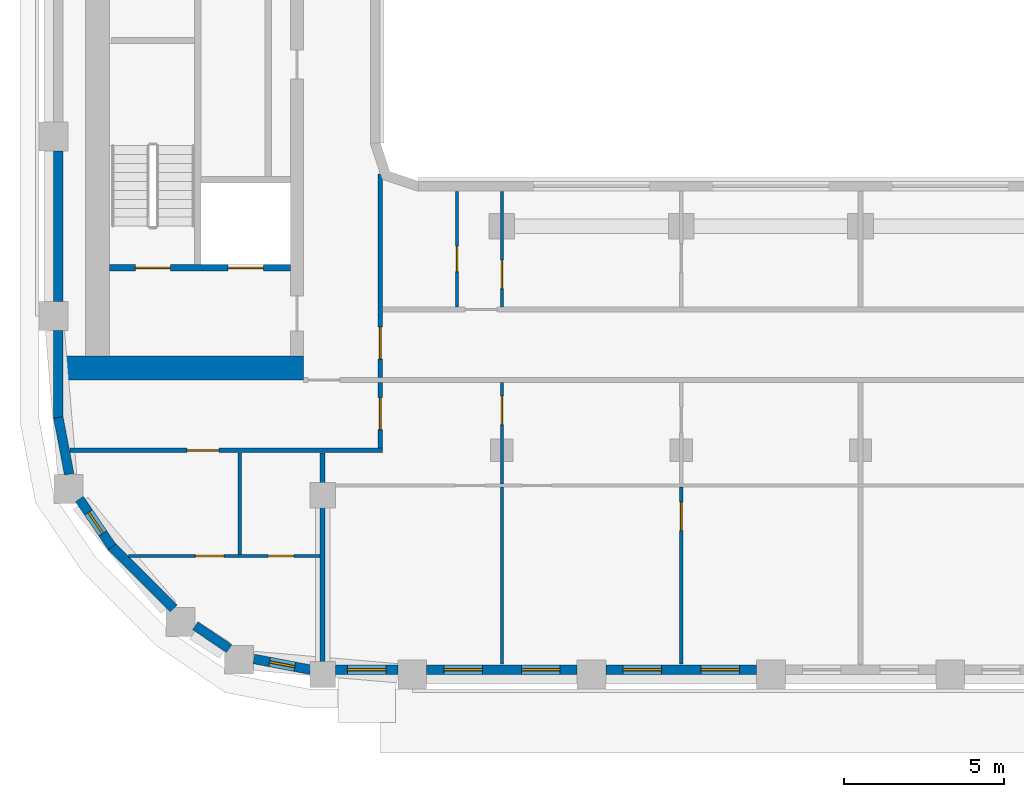
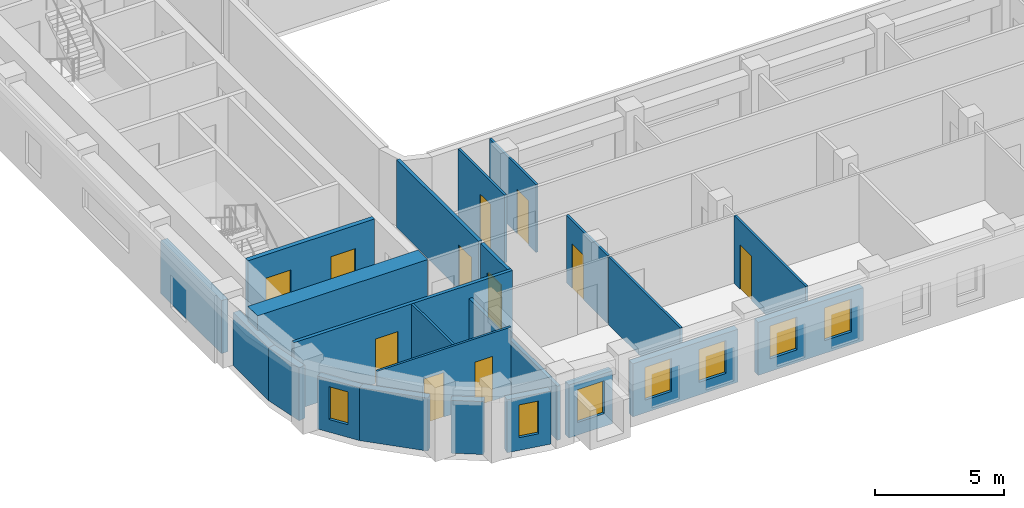
# One storey, part 2 of 21: 23 walls, 11 doors, 7 windows, 18 openings.
"""IFC4 building model written with IfcOpenShell, lengths in metres."""

from ifc_helpers import new_model, si_unit, direction, frame, frame_2d, origin, place, context, subcontext, project, spatial, rectangle, extrude, material, layer, layer_set, type_object, element, fill, save


model = new_model("IFC4")

# Units and contexts
model_context = context("Model", 3, precision=1e-05, world=origin(), true_north=direction((0.0, 1.0)))
body_context = subcontext(model_context, "Body", "Model", "MODEL_VIEW")
ifc_project = project(units=[si_unit("LENGTHUNIT", "METRE"), si_unit("AREAUNIT", "SQUARE_METRE"), si_unit("VOLUMEUNIT", "CUBIC_METRE"), si_unit("PLANEANGLEUNIT", "RADIAN"), si_unit("MASSUNIT", "GRAM", prefix="KILO")], contexts=[model_context])

# Site, building, storey
site_placement = place(None, origin())
site = spatial("IfcSite", under=ifc_project, at=site_placement, CompositionType="ELEMENT")
building_placement = place(site_placement, origin())
building = spatial("IfcBuilding", under=site, at=building_placement, Name="Kiln Ring Residences", CompositionType="ELEMENT")
storey_placement = place(building_placement, frame((0.0, 0.0, 202.89990234375)))
storey = spatial("IfcBuildingStorey", under=building, at=storey_placement, Name="L52", CompositionType="ELEMENT", Elevation=202.89990234375)

# Wall, openings, doors
ifc_material_1 = material(Name="Concrete C40/50", Category="concrete")
ifc_layer_1 = layer(ifc_material_1, 0.199951171875)
ifc_layer_set_1 = layer_set([ifc_layer_1], Name="CORE-WALL-RC200")
wall_type_1 = type_object("IfcWallType", Name="CORE-WALL-RC200", PredefinedType="SHEAR", material=ifc_layer_set_1)
wall_1_placement = place(storey_placement, frame((-17.800048828125, -9.699951171875, 0.0), z_axis=(0.0, 0.0, 1.0), x_axis=(-1.0, 0.0, 0.0)))
wall_1 = element("IfcWall", 1, at=wall_1_placement, inside=storey, type_object=wall_type_1, Name="Core wall west L52 8", PredefinedType="SHEAR", context=body_context, shape_type="SweptSolid", body=[
    extrude(rectangle(XDim=5.64990234375, YDim=0.199951171875, at=frame_2d((2.824951171875, 0.0))), origin(), (0.0, 0.0, 1.0), 3.2001953125),
])
opening_1_placement = place(wall_1_placement, frame((0.85009765625, 0.0, 0.0)))
opening_1 = element("IfcOpeningElement", 2, at=opening_1_placement, cuts=wall_1, Name="Opening L52-CW01", PredefinedType="OPENING", context=body_context, shape_type="SweptSolid", body=[
    extrude(rectangle(XDim=1.10009765625, YDim=2.10009765625, at=frame_2d((0.550048828125, 1.050048828125))), frame((0.0, 0.10986328125, 0.0), z_axis=(0.0, -1.0, 0.0), x_axis=(1.0, 0.0, 0.0)), (0.0, 0.0, 1.0), 0.219970703125),
])
opening_2_placement = place(wall_1_placement, frame((3.75, 0.0, 0.0)))
opening_2 = element("IfcOpeningElement", 3, at=opening_2_placement, cuts=wall_1, Name="Opening L52-CW10", PredefinedType="OPENING", context=body_context, shape_type="SweptSolid", body=[
    extrude(rectangle(XDim=1.10009765625, YDim=2.10009765625, at=frame_2d((0.550048828125, 1.050048828125))), frame((0.0, 0.10986328125, 0.0), z_axis=(0.0, -1.0, 0.0), x_axis=(1.0, 0.0, 0.0)), (0.0, 0.0, 1.0), 0.219970703125),
])
ifc_material_2 = material(Name="Steel door leaf", Category="steel")
door_type_1 = type_object("IfcDoorType", Name="CORE-DOOR-LD", OperationType="DOUBLE_DOOR_SLIDING", PredefinedType="DOOR", material=ifc_material_2)
door_1_placement = place(opening_1_placement, origin())
door_1 = element("IfcDoor", 4, at=door_1_placement, inside=storey, type_object=door_type_1, Name="LD W-SV L52-CW01", OperationType="DOUBLE_DOOR_SLIDING", OverallHeight=2.10009765625, OverallWidth=1.10009765625, PredefinedType="DOOR", context=body_context, shape_type="SweptSolid", body=[
    extrude(rectangle(XDim=1.10009765625, YDim=2.10009765625, at=frame_2d((0.550048828125, 1.050048828125))), frame((0.0, 0.02490234375, 0.0), z_axis=(0.0, -1.0, 0.0), x_axis=(1.0, 0.0, 0.0)), (0.0, 0.0, 1.0), 0.050048828125),
])
fill(opening_1, door_1)
ifc_material_3 = material(Name="Steel door leaf", Category="steel")
door_type_2 = type_object("IfcDoorType", Name="CORE-DOOR-STAIR", OperationType="SINGLE_SWING_LEFT", PredefinedType="DOOR", material=ifc_material_3)
door_2_placement = place(opening_2_placement, origin())
door_2 = element("IfcDoor", 5, at=door_2_placement, inside=storey, type_object=door_type_2, Name="Stair W-STS L52-CW10", OperationType="SINGLE_SWING_LEFT", OverallHeight=2.10009765625, OverallWidth=1.10009765625, PredefinedType="DOOR", context=body_context, shape_type="SweptSolid", body=[
    extrude(rectangle(XDim=1.10009765625, YDim=2.10009765625, at=frame_2d((0.550048828125, 1.050048828125))), frame((0.0, 0.02490234375, 0.0), z_axis=(0.0, -1.0, 0.0), x_axis=(1.0, 0.0, 0.0)), (0.0, 0.0, 1.0), 0.050048828125),
])
fill(opening_2, door_2)

# Walls
ifc_material_4 = material(Name="Concrete C60/75", Category="concrete")
ifc_layer_2 = layer(ifc_material_4, 0.75)
ifc_layer_set_2 = layer_set([ifc_layer_2], Name="CORE-WALL-RC750")
wall_type_2 = type_object("IfcWallType", Name="CORE-WALL-RC750", PredefinedType="SHEAR", material=ifc_layer_set_2)
wall_2_placement = place(storey_placement, frame((-17.39990234375, -12.824951171875, 0.0), z_axis=(0.0, 0.0, 1.0), x_axis=(-1.0, 0.0, 0.0)))
element("IfcWall", 6, at=wall_2_placement, inside=storey, type_object=wall_type_2, Name="Core wall west L52 5", PredefinedType="SHEAR", context=body_context, shape_type="SweptSolid", body=[
    extrude(rectangle(XDim=7.60009765625, YDim=0.75, at=frame_2d((3.800048828125, 0.0))), origin(), (0.0, 0.0, 1.0), 3.2001953125),
])
ifc_material_5 = material(Name="Brick masonry, dark clay brick", Category="masonry")
ifc_layer_3 = layer(ifc_material_5, 0.300048828125)
ifc_layer_set_3 = layer_set([ifc_layer_3], Name="EW-300 BRICK WALL")
wall_type_3 = type_object("IfcWallType", Name="EW-300 BRICK WALL", PredefinedType="SOLIDWALL", material=ifc_layer_set_3)
wall_3_placement = place(storey_placement, frame((-23.39697265625, -18.390869140625, 0.0), z_axis=(0.0, 0.0, 1.0), x_axis=(0.707106781187, -0.707106781187, 0.0)))
element("IfcWall", 7, at=wall_3_placement, inside=storey, type_object=wall_type_3, Name="Facade wall L52 1", PredefinedType="SOLIDWALL", context=body_context, shape_type="SweptSolid", body=[
    extrude(rectangle(XDim=2.75, YDim=0.300048828125, at=frame_2d((1.375, 0.0))), origin(), (0.0, 0.0, 1.0), 2.5),
])
wall_4_placement = place(storey_placement, frame((-20.775146484375, -20.876220703125, 0.0), z_axis=(0.0, 0.0, 1.0), x_axis=(0.827075824828, -0.562090366388, 0.0)))
element("IfcWall", 8, at=wall_4_placement, inside=storey, type_object=wall_type_3, Name="Facade wall L52 2", PredefinedType="SOLIDWALL", context=body_context, shape_type="SweptSolid", body=[
    extrude(rectangle(XDim=1.27685546875, YDim=0.300048828125, at=frame_2d((0.638427734375, 0.0))), origin(), (0.0, 0.0, 1.0), 2.5),
])

# Wall, opening, window
wall_5_placement = place(storey_placement, frame((-18.946044921875, -21.914306640625, 0.0), z_axis=(0.0, 0.0, 1.0), x_axis=(0.98230529033, -0.187286722942, 0.0)))
wall_5 = element("IfcWall", 9, at=wall_5_placement, inside=storey, type_object=wall_type_3, Name="Facade wall L52 3", PredefinedType="SOLIDWALL", context=body_context, shape_type="SweptSolid", body=[
    extrude(rectangle(XDim=1.798828125, YDim=0.300048828125, at=frame_2d((0.8994140625, 0.0))), origin(), (0.0, 0.0, 1.0), 2.5),
])
opening_3_placement = place(wall_5_placement, frame((0.49951171875, 0.0, 0.60009765625)))
opening_3 = element("IfcOpeningElement", 10, at=opening_3_placement, cuts=wall_5, Name="Opening W5", PredefinedType="OPENING", context=body_context, shape_type="SweptSolid", body=[
    extrude(rectangle(XDim=0.800048828125, YDim=1.550048828125, at=frame_2d((0.39990234375, 0.77490234375))), frame((0.0, 0.159912109375, 0.0), z_axis=(0.0, -1.0, 0.0), x_axis=(1.0, 0.0, 0.0)), (0.0, 0.0, 1.0), 0.320068359375),
])
ifc_material_6 = material(Name="Aluminium frame with double glazing", Category="aluminium")
window_type_1 = type_object("IfcWindowType", Name="WINDOW 800 x 1550", PartitioningType="SINGLE_PANEL", PredefinedType="WINDOW", material=ifc_material_6)
window_1_placement = place(opening_3_placement, origin())
window_1 = element("IfcWindow", 11, at=window_1_placement, inside=storey, type_object=window_type_1, Name="Window L52 1", OverallHeight=1.550048828125, OverallWidth=0.800048828125, PartitioningType="SINGLE_PANEL", PredefinedType="WINDOW", context=body_context, shape_type="SweptSolid", body=[
    extrude(rectangle(XDim=0.800048828125, YDim=1.550048828125, at=frame_2d((0.39990234375, 0.77490234375))), frame((0.0, 0.030029296875, 0.0), z_axis=(0.0, -1.0, 0.0), x_axis=(1.0, 0.0, 0.0)), (0.0, 0.0, 1.0), 0.06005859375),
])
fill(opening_3, window_1)

wall_6_placement = place(storey_placement, frame((-16.39990234375, -22.25, 0.0), z_axis=(0.0, 0.0, 1.0), x_axis=(1.0, 0.0, 0.0)))
wall_6 = element("IfcWall", 12, at=wall_6_placement, inside=storey, type_object=wall_type_3, Name="Facade wall L52 4", PredefinedType="SOLIDWALL", context=body_context, shape_type="SweptSolid", body=[
    extrude(rectangle(XDim=1.949951171875, YDim=0.300048828125, at=frame_2d((0.97509765625, 0.0))), origin(), (0.0, 0.0, 1.0), 2.5),
])
opening_4_placement = place(wall_6_placement, frame((0.375, 0.0, 0.60009765625)))
opening_4 = element("IfcOpeningElement", 13, at=opening_4_placement, cuts=wall_6, Name="Opening W1", PredefinedType="OPENING", context=body_context, shape_type="SweptSolid", body=[
    extrude(rectangle(XDim=1.199951171875, YDim=1.550048828125, at=frame_2d((0.60009765625, 0.77490234375))), frame((0.0, 0.159912109375, 0.0), z_axis=(0.0, -1.0, 0.0), x_axis=(1.0, 0.0, 0.0)), (0.0, 0.0, 1.0), 0.320068359375),
])
ifc_material_7 = material(Name="Aluminium frame with double glazing", Category="aluminium")
window_type_2 = type_object("IfcWindowType", Name="WINDOW 1200 x 1550", PartitioningType="SINGLE_PANEL", PredefinedType="WINDOW", material=ifc_material_7)
window_2_placement = place(opening_4_placement, origin())
window_2 = element("IfcWindow", 14, at=window_2_placement, inside=storey, type_object=window_type_2, Name="Window L52 2", OverallHeight=1.550048828125, OverallWidth=1.199951171875, PartitioningType="SINGLE_PANEL", PredefinedType="WINDOW", context=body_context, shape_type="SweptSolid", body=[
    extrude(rectangle(XDim=1.199951171875, YDim=1.550048828125, at=frame_2d((0.60009765625, 0.77490234375))), frame((0.0, 0.030029296875, 0.0), z_axis=(0.0, -1.0, 0.0), x_axis=(1.0, 0.0, 0.0)), (0.0, 0.0, 1.0), 0.06005859375),
])
fill(opening_4, window_2)

# Wall, openings, windows
wall_7_placement = place(storey_placement, frame((-13.550048828125, -22.25, 0.0), z_axis=(0.0, 0.0, 1.0), x_axis=(1.0, 0.0, 0.0)))
wall_7 = element("IfcWall", 15, at=wall_7_placement, inside=storey, type_object=wall_type_3, Name="Facade wall L52 5", PredefinedType="SOLIDWALL", context=body_context, shape_type="SweptSolid", body=[
    extrude(rectangle(XDim=4.699951171875, YDim=0.300048828125, at=frame_2d((2.35009765625, 0.0))), origin(), (0.0, 0.0, 1.0), 2.5),
])
opening_5_placement = place(wall_7_placement, frame((0.53759765625, 0.0, 0.60009765625)))
opening_5 = element("IfcOpeningElement", 16, at=opening_5_placement, cuts=wall_7, Name="Opening W1", PredefinedType="OPENING", context=body_context, shape_type="SweptSolid", body=[
    extrude(rectangle(XDim=1.199951171875, YDim=1.550048828125, at=frame_2d((0.60009765625, 0.77490234375))), frame((0.0, 0.159912109375, 0.0), z_axis=(0.0, -1.0, 0.0), x_axis=(1.0, 0.0, 0.0)), (0.0, 0.0, 1.0), 0.320068359375),
])
opening_6_placement = place(wall_7_placement, frame((2.96240234375, 0.0, 0.60009765625)))
opening_6 = element("IfcOpeningElement", 17, at=opening_6_placement, cuts=wall_7, Name="Opening W1", PredefinedType="OPENING", context=body_context, shape_type="SweptSolid", body=[
    extrude(rectangle(XDim=1.199951171875, YDim=1.550048828125, at=frame_2d((0.60009765625, 0.77490234375))), frame((0.0, 0.159912109375, 0.0), z_axis=(0.0, -1.0, 0.0), x_axis=(1.0, 0.0, 0.0)), (0.0, 0.0, 1.0), 0.320068359375),
])
window_3_placement = place(opening_5_placement, origin())
window_3 = element("IfcWindow", 18, at=window_3_placement, inside=storey, type_object=window_type_2, Name="Window L52 3", OverallHeight=1.550048828125, OverallWidth=1.199951171875, PartitioningType="SINGLE_PANEL", PredefinedType="WINDOW", context=body_context, shape_type="SweptSolid", body=[
    extrude(rectangle(XDim=1.199951171875, YDim=1.550048828125, at=frame_2d((0.60009765625, 0.77490234375))), frame((0.0, 0.030029296875, 0.0), z_axis=(0.0, -1.0, 0.0), x_axis=(1.0, 0.0, 0.0)), (0.0, 0.0, 1.0), 0.06005859375),
])
fill(opening_5, window_3)
window_4_placement = place(opening_6_placement, origin())
window_4 = element("IfcWindow", 19, at=window_4_placement, inside=storey, type_object=window_type_2, Name="Window L52 4", OverallHeight=1.550048828125, OverallWidth=1.199951171875, PartitioningType="SINGLE_PANEL", PredefinedType="WINDOW", context=body_context, shape_type="SweptSolid", body=[
    extrude(rectangle(XDim=1.199951171875, YDim=1.550048828125, at=frame_2d((0.60009765625, 0.77490234375))), frame((0.0, 0.030029296875, 0.0), z_axis=(0.0, -1.0, 0.0), x_axis=(1.0, 0.0, 0.0)), (0.0, 0.0, 1.0), 0.06005859375),
])
fill(opening_6, window_4)

wall_8_placement = place(storey_placement, frame((-7.949951171875, -22.25, 0.0), z_axis=(0.0, 0.0, 1.0), x_axis=(1.0, 0.0, 0.0)))
wall_8 = element("IfcWall", 20, at=wall_8_placement, inside=storey, type_object=wall_type_3, Name="Facade wall L52 6", PredefinedType="SOLIDWALL", context=body_context, shape_type="SweptSolid", body=[
    extrude(rectangle(XDim=4.699951171875, YDim=0.300048828125, at=frame_2d((2.35009765625, 0.0))), origin(), (0.0, 0.0, 1.0), 2.5),
])
opening_7_placement = place(wall_8_placement, frame((0.53759765625, 0.0, 0.60009765625)))
opening_7 = element("IfcOpeningElement", 21, at=opening_7_placement, cuts=wall_8, Name="Opening W1", PredefinedType="OPENING", context=body_context, shape_type="SweptSolid", body=[
    extrude(rectangle(XDim=1.199951171875, YDim=1.550048828125, at=frame_2d((0.60009765625, 0.77490234375))), frame((0.0, 0.159912109375, 0.0), z_axis=(0.0, -1.0, 0.0), x_axis=(1.0, 0.0, 0.0)), (0.0, 0.0, 1.0), 0.320068359375),
])
opening_8_placement = place(wall_8_placement, frame((2.96240234375, 0.0, 0.60009765625)))
opening_8 = element("IfcOpeningElement", 22, at=opening_8_placement, cuts=wall_8, Name="Opening W1", PredefinedType="OPENING", context=body_context, shape_type="SweptSolid", body=[
    extrude(rectangle(XDim=1.199951171875, YDim=1.550048828125, at=frame_2d((0.60009765625, 0.77490234375))), frame((0.0, 0.159912109375, 0.0), z_axis=(0.0, -1.0, 0.0), x_axis=(1.0, 0.0, 0.0)), (0.0, 0.0, 1.0), 0.320068359375),
])
window_5_placement = place(opening_7_placement, origin())
window_5 = element("IfcWindow", 23, at=window_5_placement, inside=storey, type_object=window_type_2, Name="Window L52 5", OverallHeight=1.550048828125, OverallWidth=1.199951171875, PartitioningType="SINGLE_PANEL", PredefinedType="WINDOW", context=body_context, shape_type="SweptSolid", body=[
    extrude(rectangle(XDim=1.199951171875, YDim=1.550048828125, at=frame_2d((0.60009765625, 0.77490234375))), frame((0.0, 0.030029296875, 0.0), z_axis=(0.0, -1.0, 0.0), x_axis=(1.0, 0.0, 0.0)), (0.0, 0.0, 1.0), 0.06005859375),
])
fill(opening_7, window_5)
window_6_placement = place(opening_8_placement, origin())
window_6 = element("IfcWindow", 24, at=window_6_placement, inside=storey, type_object=window_type_2, Name="Window L52 6", OverallHeight=1.550048828125, OverallWidth=1.199951171875, PartitioningType="SINGLE_PANEL", PredefinedType="WINDOW", context=body_context, shape_type="SweptSolid", body=[
    extrude(rectangle(XDim=1.199951171875, YDim=1.550048828125, at=frame_2d((0.60009765625, 0.77490234375))), frame((0.0, 0.030029296875, 0.0), z_axis=(0.0, -1.0, 0.0), x_axis=(1.0, 0.0, 0.0)), (0.0, 0.0, 1.0), 0.06005859375),
])
fill(opening_8, window_6)

# Walls
wall_9_placement = place(storey_placement, frame((-25.050048828125, -6.050048828125, 0.0), z_axis=(0.0, 0.0, 1.0), x_axis=(0.0, -1.0, 0.0)))
element("IfcWall", 25, at=wall_9_placement, inside=storey, type_object=wall_type_3, Name="Facade wall L52 43", PredefinedType="SOLIDWALL", context=body_context, shape_type="SweptSolid", body=[
    extrude(rectangle(XDim=4.699951171875, YDim=0.300048828125, at=frame_2d((2.35009765625, 0.0))), origin(), (0.0, 0.0, 1.0), 2.5),
])
wall_10_placement = place(storey_placement, frame((-25.050048828125, -11.64990234375, 0.0), z_axis=(0.0, 0.0, 1.0), x_axis=(0.0, -1.0, 0.0)))
element("IfcWall", 26, at=wall_10_placement, inside=storey, type_object=wall_type_3, Name="Facade wall L52 44", PredefinedType="SOLIDWALL", context=body_context, shape_type="SweptSolid", body=[
    extrude(rectangle(XDim=2.75, YDim=0.300048828125, at=frame_2d((1.375, 0.0))), origin(), (0.0, 0.0, 1.0), 2.5),
])
wall_11_placement = place(storey_placement, frame((-25.052734375, -14.371826171875, 0.0), z_axis=(0.0, 0.0, 1.0), x_axis=(0.187348135549, -0.982293579388, 0.0)))
element("IfcWall", 27, at=wall_11_placement, inside=storey, type_object=wall_type_3, Name="Facade wall L52 45", PredefinedType="SOLIDWALL", context=body_context, shape_type="SweptSolid", body=[
    extrude(rectangle(XDim=1.80615234375, YDim=0.300048828125, at=frame_2d((0.903076171875, 0.0))), origin(), (0.0, 0.0, 1.0), 2.5),
])

# Wall, opening, window
wall_12_placement = place(storey_placement, frame((-24.39404296875, -16.9189453125, 0.0), z_axis=(0.0, 0.0, 1.0), x_axis=(0.562040093569, -0.827109988588, 0.0)))
wall_12 = element("IfcWall", 28, at=wall_12_placement, inside=storey, type_object=wall_type_3, Name="Facade wall L52 46", PredefinedType="SOLIDWALL", context=body_context, shape_type="SweptSolid", body=[
    extrude(rectangle(XDim=1.80615234375, YDim=0.300048828125, at=frame_2d((0.903076171875, 0.0))), origin(), (0.0, 0.0, 1.0), 2.5),
])
opening_9_placement = place(wall_12_placement, frame((0.5029296875, 0.0, 0.60009765625)))
opening_9 = element("IfcOpeningElement", 29, at=opening_9_placement, cuts=wall_12, Name="Opening W5", PredefinedType="OPENING", context=body_context, shape_type="SweptSolid", body=[
    extrude(rectangle(XDim=0.800048828125, YDim=1.550048828125, at=frame_2d((0.39990234375, 0.77490234375))), frame((0.0, 0.159912109375, 0.0), z_axis=(0.0, -1.0, 0.0), x_axis=(1.0, 0.0, 0.0)), (0.0, 0.0, 1.0), 0.320068359375),
])
window_7_placement = place(opening_9_placement, origin())
window_7 = element("IfcWindow", 30, at=window_7_placement, inside=storey, type_object=window_type_1, Name="Window L52 34", OverallHeight=1.550048828125, OverallWidth=0.800048828125, PartitioningType="SINGLE_PANEL", PredefinedType="WINDOW", context=body_context, shape_type="SweptSolid", body=[
    extrude(rectangle(XDim=0.800048828125, YDim=1.550048828125, at=frame_2d((0.39990234375, 0.77490234375))), frame((0.0, 0.030029296875, 0.0), z_axis=(0.0, -1.0, 0.0), x_axis=(1.0, 0.0, 0.0)), (0.0, 0.0, 1.0), 0.06005859375),
])
fill(opening_9, window_7)

# Wall, openings, doors
ifc_material_8 = material(Name="Gypsum board on steel studs", Category="steel")
ifc_layer_4 = layer(ifc_material_8, 0.10009765625)
ifc_layer_set_4 = layer_set([ifc_layer_4], Name="PARTITION-100")
wall_type_4 = type_object("IfcWallType", Name="PARTITION-100", PredefinedType="PARTITIONING", material=ifc_layer_set_4)
wall_13_placement = place(storey_placement, frame((-22.855712890625, -18.699951171875, 0.0), z_axis=(0.0, 0.0, 1.0), x_axis=(1.0, 0.0, 0.0)))
wall_13 = element("IfcWall", 31, at=wall_13_placement, inside=storey, type_object=wall_type_4, Name="Partition 000", PredefinedType="PARTITIONING", context=body_context, shape_type="SweptSolid", body=[
    extrude(rectangle(XDim=5.980712890625, YDim=0.10009765625, at=frame_2d((2.990234375, 0.0))), origin(), (0.0, 0.0, 1.0), 3.2001953125),
])
opening_10_placement = place(wall_13_placement, frame((4.355712890625, 0.0, 0.0)))
opening_10 = element("IfcOpeningElement", 32, at=opening_10_placement, cuts=wall_13, Name="Opening L52-D061", PredefinedType="OPENING", context=body_context, shape_type="SweptSolid", body=[
    extrude(rectangle(XDim=0.800048828125, YDim=2.10009765625, at=frame_2d((0.39990234375, 1.050048828125))), frame((0.0, 0.06005859375, 0.0), z_axis=(0.0, -1.0, 0.0), x_axis=(1.0, 0.0, 0.0)), (0.0, 0.0, 1.0), 0.1201171875),
])
opening_11_placement = place(wall_13_placement, frame((2.083740234375, 0.0, 0.0)))
opening_11 = element("IfcOpeningElement", 33, at=opening_11_placement, cuts=wall_13, Name="Opening L52-D062", PredefinedType="OPENING", context=body_context, shape_type="SweptSolid", body=[
    extrude(rectangle(XDim=0.89990234375, YDim=2.10009765625, at=frame_2d((0.449951171875, 1.050048828125))), frame((0.0, 0.06005859375, 0.0), z_axis=(0.0, -1.0, 0.0), x_axis=(1.0, 0.0, 0.0)), (0.0, 0.0, 1.0), 0.1201171875),
])
ifc_material_9 = material(Name="Timber door leaf", Category="wood")
door_type_3 = type_object("IfcDoorType", Name="FLAT-DOOR-800-PL", OperationType="SINGLE_SWING_LEFT", PredefinedType="DOOR", material=ifc_material_9)
door_3_placement = place(opening_10_placement, origin())
door_3 = element("IfcDoor", 34, at=door_3_placement, inside=storey, type_object=door_type_3, Name="Door L52-D061", OperationType="SINGLE_SWING_LEFT", OverallHeight=2.10009765625, OverallWidth=0.800048828125, PredefinedType="DOOR", context=body_context, shape_type="SweptSolid", body=[
    extrude(rectangle(XDim=0.800048828125, YDim=2.10009765625, at=frame_2d((0.39990234375, 1.050048828125))), frame((0.0, 0.02490234375, 0.0), z_axis=(0.0, -1.0, 0.0), x_axis=(1.0, 0.0, 0.0)), (0.0, 0.0, 1.0), 0.050048828125),
])
fill(opening_10, door_3)
ifc_material_10 = material(Name="Timber door leaf", Category="wood")
door_type_4 = type_object("IfcDoorType", Name="FLAT-DOOR-900-PL", OperationType="SINGLE_SWING_LEFT", PredefinedType="DOOR", material=ifc_material_10)
door_4_placement = place(opening_11_placement, origin())
door_4 = element("IfcDoor", 35, at=door_4_placement, inside=storey, type_object=door_type_4, Name="Door L52-D062", OperationType="SINGLE_SWING_RIGHT", OverallHeight=2.10009765625, OverallWidth=0.89990234375, PredefinedType="DOOR", context=body_context, shape_type="SweptSolid", body=[
    extrude(rectangle(XDim=0.89990234375, YDim=2.10009765625, at=frame_2d((0.449951171875, 1.050048828125))), frame((0.0, 0.02490234375, 0.0), z_axis=(0.0, -1.0, 0.0), x_axis=(1.0, 0.0, 0.0)), (0.0, 0.0, 1.0), 0.050048828125),
])
fill(opening_11, door_4)

# Wall
wall_14_placement = place(storey_placement, frame((-19.389892578125, -18.64990234375, 0.0), z_axis=(0.0, 0.0, 1.0), x_axis=(0.0, 1.0, 0.0)))
element("IfcWall", 36, at=wall_14_placement, inside=storey, type_object=wall_type_4, Name="Partition 014", PredefinedType="PARTITIONING", context=body_context, shape_type="SweptSolid", body=[
    extrude(rectangle(XDim=3.1748046875, YDim=0.10009765625, at=frame_2d((1.58740234375, 0.0))), origin(), (0.0, 0.0, 1.0), 3.2001953125),
])

# Wall, opening, door
wall_15_placement = place(storey_placement, frame((-12.60009765625, -10.925048828125, 0.0), z_axis=(0.0, 0.0, 1.0), x_axis=(0.0, 1.0, 0.0)))
wall_15 = element("IfcWall", 37, at=wall_15_placement, inside=storey, type_object=wall_type_4, Name="Partition 023", PredefinedType="PARTITIONING", context=body_context, shape_type="SweptSolid", body=[
    extrude(rectangle(XDim=3.60498046875, YDim=0.10009765625, at=frame_2d((1.802490234375, 0.0))), origin(), (0.0, 0.0, 1.0), 3.2001953125),
])
opening_12_placement = place(wall_15_placement, frame((1.10498046875, 0.0, 0.0)))
opening_12 = element("IfcOpeningElement", 38, at=opening_12_placement, cuts=wall_15, Name="Opening L52-D038", PredefinedType="OPENING", context=body_context, shape_type="SweptSolid", body=[
    extrude(rectangle(XDim=0.800048828125, YDim=2.10009765625, at=frame_2d((0.39990234375, 1.050048828125))), frame((0.0, 0.06005859375, 0.0), z_axis=(0.0, -1.0, 0.0), x_axis=(1.0, 0.0, 0.0)), (0.0, 0.0, 1.0), 0.1201171875),
])
door_5_placement = place(opening_12_placement, origin())
door_5 = element("IfcDoor", 39, at=door_5_placement, inside=storey, type_object=door_type_3, Name="Door L52-D038", OperationType="SINGLE_SWING_RIGHT", OverallHeight=2.10009765625, OverallWidth=0.800048828125, PredefinedType="DOOR", context=body_context, shape_type="SweptSolid", body=[
    extrude(rectangle(XDim=0.800048828125, YDim=2.10009765625, at=frame_2d((0.39990234375, 1.050048828125))), frame((0.0, 0.02490234375, 0.0), z_axis=(0.0, -1.0, 0.0), x_axis=(1.0, 0.0, 0.0)), (0.0, 0.0, 1.0), 0.050048828125),
])
fill(opening_12, door_5)

# Wall
wall_16_placement = place(storey_placement, frame((-11.199951171875, -22.080078125, 0.0), z_axis=(0.0, 0.0, 1.0), x_axis=(0.0, 1.0, 0.0)))
element("IfcWall", 40, at=wall_16_placement, inside=storey, type_object=wall_type_4, Name="Partition 025", PredefinedType="PARTITIONING", context=body_context, shape_type="SweptSolid", body=[
    extrude(rectangle(XDim=5.530029296875, YDim=0.10009765625, at=frame_2d((2.76513671875, 0.0))), origin(), (0.0, 0.0, 1.0), 3.2001953125),
])

# Wall, opening, door
wall_17_placement = place(storey_placement, frame((-11.199951171875, -16.449951171875, 0.0), z_axis=(0.0, 0.0, 1.0), x_axis=(0.0, 1.0, 0.0)))
wall_17 = element("IfcWall", 41, at=wall_17_placement, inside=storey, type_object=wall_type_4, Name="Partition 026", PredefinedType="PARTITIONING", context=body_context, shape_type="SweptSolid", body=[
    extrude(rectangle(XDim=3.175048828125, YDim=0.10009765625, at=frame_2d((1.58740234375, 0.0))), origin(), (0.0, 0.0, 1.0), 3.2001953125),
])
opening_13_placement = place(wall_17_placement, frame((1.85009765625, 0.0, 0.0)))
opening_13 = element("IfcOpeningElement", 42, at=opening_13_placement, cuts=wall_17, Name="Opening L52-D046", PredefinedType="OPENING", context=body_context, shape_type="SweptSolid", body=[
    extrude(rectangle(XDim=0.89990234375, YDim=2.10009765625, at=frame_2d((0.449951171875, 1.050048828125))), frame((0.0, 0.06005859375, 0.0), z_axis=(0.0, -1.0, 0.0), x_axis=(1.0, 0.0, 0.0)), (0.0, 0.0, 1.0), 0.1201171875),
])
door_6_placement = place(opening_13_placement, origin())
door_6 = element("IfcDoor", 43, at=door_6_placement, inside=storey, type_object=door_type_4, Name="Door L52-D046", OperationType="SINGLE_SWING_RIGHT", OverallHeight=2.10009765625, OverallWidth=0.89990234375, PredefinedType="DOOR", context=body_context, shape_type="SweptSolid", body=[
    extrude(rectangle(XDim=0.89990234375, YDim=2.10009765625, at=frame_2d((0.449951171875, 1.050048828125))), frame((0.0, 0.02490234375, 0.0), z_axis=(0.0, -1.0, 0.0), x_axis=(1.0, 0.0, 0.0)), (0.0, 0.0, 1.0), 0.050048828125),
])
fill(opening_13, door_6)

wall_18_placement = place(storey_placement, frame((-11.199951171875, -10.925048828125, 0.0), z_axis=(0.0, 0.0, 1.0), x_axis=(0.0, 1.0, 0.0)))
wall_18 = element("IfcWall", 44, at=wall_18_placement, inside=storey, type_object=wall_type_4, Name="Partition 027", PredefinedType="PARTITIONING", context=body_context, shape_type="SweptSolid", body=[
    extrude(rectangle(XDim=3.60498046875, YDim=0.10009765625, at=frame_2d((1.802490234375, 0.0))), origin(), (0.0, 0.0, 1.0), 3.2001953125),
])
opening_14_placement = place(wall_18_placement, frame((0.575927734375, 0.0, 0.0)))
opening_14 = element("IfcOpeningElement", 45, at=opening_14_placement, cuts=wall_18, Name="Opening L52-D039", PredefinedType="OPENING", context=body_context, shape_type="SweptSolid", body=[
    extrude(rectangle(XDim=0.89990234375, YDim=2.10009765625, at=frame_2d((0.449951171875, 1.050048828125))), frame((0.0, 0.06005859375, 0.0), z_axis=(0.0, -1.0, 0.0), x_axis=(1.0, 0.0, 0.0)), (0.0, 0.0, 1.0), 0.1201171875),
])
door_7_placement = place(opening_14_placement, origin())
door_7 = element("IfcDoor", 46, at=door_7_placement, inside=storey, type_object=door_type_4, Name="Door L52-D039", OperationType="SINGLE_SWING_LEFT", OverallHeight=2.10009765625, OverallWidth=0.89990234375, PredefinedType="DOOR", context=body_context, shape_type="SweptSolid", body=[
    extrude(rectangle(XDim=0.89990234375, YDim=2.10009765625, at=frame_2d((0.449951171875, 1.050048828125))), frame((0.0, 0.02490234375, 0.0), z_axis=(0.0, -1.0, 0.0), x_axis=(1.0, 0.0, 0.0)), (0.0, 0.0, 1.0), 0.050048828125),
])
fill(opening_14, door_7)

wall_19_placement = place(storey_placement, frame((-5.60009765625, -22.080078125, 0.0), z_axis=(0.0, 0.0, 1.0), x_axis=(0.0, 1.0, 0.0)))
wall_19 = element("IfcWall", 47, at=wall_19_placement, inside=storey, type_object=wall_type_4, Name="Partition 031", PredefinedType="PARTITIONING", context=body_context, shape_type="SweptSolid", body=[
    extrude(rectangle(XDim=5.530029296875, YDim=0.10009765625, at=frame_2d((2.76513671875, 0.0))), origin(), (0.0, 0.0, 1.0), 3.2001953125),
])
opening_15_placement = place(wall_19_placement, frame((4.169921875, 0.0, 0.0)))
opening_15 = element("IfcOpeningElement", 48, at=opening_15_placement, cuts=wall_19, Name="Opening L52-D050", PredefinedType="OPENING", context=body_context, shape_type="SweptSolid", body=[
    extrude(rectangle(XDim=0.89990234375, YDim=2.10009765625, at=frame_2d((0.449951171875, 1.050048828125))), frame((0.0, 0.06005859375, 0.0), z_axis=(0.0, -1.0, 0.0), x_axis=(1.0, 0.0, 0.0)), (0.0, 0.0, 1.0), 0.1201171875),
])
door_8_placement = place(opening_15_placement, origin())
door_8 = element("IfcDoor", 49, at=door_8_placement, inside=storey, type_object=door_type_4, Name="Door L52-D050", OperationType="SINGLE_SWING_RIGHT", OverallHeight=2.10009765625, OverallWidth=0.89990234375, PredefinedType="DOOR", context=body_context, shape_type="SweptSolid", body=[
    extrude(rectangle(XDim=0.89990234375, YDim=2.10009765625, at=frame_2d((0.449951171875, 1.050048828125))), frame((0.0, 0.02490234375, 0.0), z_axis=(0.0, -1.0, 0.0), x_axis=(1.0, 0.0, 0.0)), (0.0, 0.0, 1.0), 0.050048828125),
])
fill(opening_15, door_8)

ifc_material_11 = material(Name="Brick masonry partition", Category="masonry")
ifc_layer_5 = layer(ifc_material_11, 0.14990234375)
ifc_layer_set_5 = layer_set([ifc_layer_5], Name="PARTITION-150-ei60")
wall_type_5 = type_object("IfcWallType", Name="PARTITION-150-ei60", PredefinedType="PARTITIONING", material=ifc_layer_set_5)
wall_20_placement = place(storey_placement, frame((-24.683837890625, -15.39990234375, 0.0), z_axis=(0.0, 0.0, 1.0), x_axis=(1.0, 0.0, 0.0)))
wall_20 = element("IfcWall", 50, at=wall_20_placement, inside=storey, type_object=wall_type_5, Name="Partition 003", PredefinedType="PARTITIONING", context=body_context, shape_type="SweptSolid", body=[
    extrude(rectangle(XDim=9.7587890625, YDim=0.14990234375, at=frame_2d((4.87939453125, 0.0))), origin(), (0.0, 0.0, 1.0), 3.2001953125),
])
opening_16_placement = place(wall_20_placement, frame((3.642822265625, 0.0, 0.0)))
opening_16 = element("IfcOpeningElement", 51, at=opening_16_placement, cuts=wall_20, Name="Opening L52-D060", PredefinedType="OPENING", context=body_context, shape_type="SweptSolid", body=[
    extrude(rectangle(XDim=1.0, YDim=2.10009765625, at=frame_2d((0.5, 1.050048828125))), frame((0.0, 0.0849609375, 0.0), z_axis=(0.0, -1.0, 0.0), x_axis=(1.0, 0.0, 0.0)), (0.0, 0.0, 1.0), 0.169921875),
])
ifc_material_12 = material(Name="Steel faced fire door leaf", Category="steel")
door_type_5 = type_object("IfcDoorType", Name="FLAT-DOOR-1000-FR", OperationType="SINGLE_SWING_LEFT", PredefinedType="DOOR", material=ifc_material_12)
door_9_placement = place(opening_16_placement, origin())
door_9 = element("IfcDoor", 52, at=door_9_placement, inside=storey, type_object=door_type_5, Name="Door L52-D060", OperationType="SINGLE_SWING_RIGHT", OverallHeight=2.10009765625, OverallWidth=1.0, PredefinedType="DOOR", context=body_context, shape_type="SweptSolid", body=[
    extrude(rectangle(XDim=1.0, YDim=2.10009765625, at=frame_2d((0.5, 1.050048828125))), frame((0.0, 0.02490234375, 0.0), z_axis=(0.0, -1.0, 0.0), x_axis=(1.0, 0.0, 0.0)), (0.0, 0.0, 1.0), 0.050048828125),
])
fill(opening_16, door_9)

# Wall
wall_21_placement = place(storey_placement, frame((-16.800048828125, -22.31005859375, 0.0), z_axis=(0.0, 0.0, 1.0), x_axis=(0.0, 1.0, 0.0)))
element("IfcWall", 53, at=wall_21_placement, inside=storey, type_object=wall_type_5, Name="Partition 016", PredefinedType="PARTITIONING", context=body_context, shape_type="SweptSolid", body=[
    extrude(rectangle(XDim=6.8349609375, YDim=0.14990234375, at=frame_2d((3.41748046875, 0.0))), origin(), (0.0, 0.0, 1.0), 2.550048828125),
])

# Wall, opening, door
wall_22_placement = place(storey_placement, frame((-15.0, -15.324951171875, 0.0), z_axis=(0.0, 0.0, 1.0), x_axis=(0.0, 1.0, 0.0)))
wall_22 = element("IfcWall", 54, at=wall_22_placement, inside=storey, type_object=wall_type_5, Name="Partition 018", PredefinedType="PARTITIONING", context=body_context, shape_type="SweptSolid", body=[
    extrude(rectangle(XDim=2.050048828125, YDim=0.14990234375, at=frame_2d((1.02490234375, 0.0))), origin(), (0.0, 0.0, 1.0), 3.2001953125),
])
opening_17_placement = place(wall_22_placement, frame((0.573974609375, 0.0, 0.0)))
opening_17 = element("IfcOpeningElement", 55, at=opening_17_placement, cuts=wall_22, Name="Opening L52-D045", PredefinedType="OPENING", context=body_context, shape_type="SweptSolid", body=[
    extrude(rectangle(XDim=1.0, YDim=2.10009765625, at=frame_2d((0.5, 1.050048828125))), frame((0.0, 0.0849609375, 0.0), z_axis=(0.0, -1.0, 0.0), x_axis=(1.0, 0.0, 0.0)), (0.0, 0.0, 1.0), 0.169921875),
])
door_10_placement = place(opening_17_placement, origin())
door_10 = element("IfcDoor", 56, at=door_10_placement, inside=storey, type_object=door_type_5, Name="Door L52-D045", OperationType="SINGLE_SWING_LEFT", OverallHeight=2.10009765625, OverallWidth=1.0, PredefinedType="DOOR", context=body_context, shape_type="SweptSolid", body=[
    extrude(rectangle(XDim=1.0, YDim=2.10009765625, at=frame_2d((0.5, 1.050048828125))), frame((0.0, 0.02490234375, 0.0), z_axis=(0.0, -1.0, 0.0), x_axis=(1.0, 0.0, 0.0)), (0.0, 0.0, 1.0), 0.050048828125),
])
fill(opening_17, door_10)

wall_23_placement = place(storey_placement, frame((-15.0, -13.125, 0.0), z_axis=(0.0, 0.0, 1.0), x_axis=(0.0, 1.0, 0.0)))
wall_23 = element("IfcWall", 57, at=wall_23_placement, inside=storey, type_object=wall_type_5, Name="Partition 019", PredefinedType="PARTITIONING", context=body_context, shape_type="SweptSolid", body=[
    extrude(rectangle(XDim=6.356201171875, YDim=0.14990234375, at=frame_2d((3.17822265625, 0.0))), origin(), (0.0, 0.0, 1.0), 3.2001953125),
])
opening_18_placement = place(wall_23_placement, frame((0.574951171875, 0.0, 0.0)))
opening_18 = element("IfcOpeningElement", 58, at=opening_18_placement, cuts=wall_23, Name="Opening L52-D005", PredefinedType="OPENING", context=body_context, shape_type="SweptSolid", body=[
    extrude(rectangle(XDim=1.0, YDim=2.10009765625, at=frame_2d((0.5, 1.050048828125))), frame((0.0, 0.0849609375, 0.0), z_axis=(0.0, -1.0, 0.0), x_axis=(1.0, 0.0, 0.0)), (0.0, 0.0, 1.0), 0.169921875),
])
door_11_placement = place(opening_18_placement, origin())
door_11 = element("IfcDoor", 59, at=door_11_placement, inside=storey, type_object=door_type_5, Name="Door L52-D005", OperationType="SINGLE_SWING_RIGHT", OverallHeight=2.10009765625, OverallWidth=1.0, PredefinedType="DOOR", context=body_context, shape_type="SweptSolid", body=[
    extrude(rectangle(XDim=1.0, YDim=2.10009765625, at=frame_2d((0.5, 1.050048828125))), frame((0.0, 0.02490234375, 0.0), z_axis=(0.0, -1.0, 0.0), x_axis=(1.0, 0.0, 0.0)), (0.0, 0.0, 1.0), 0.050048828125),
])
fill(opening_18, door_11)

save(model, "model.ifc")
